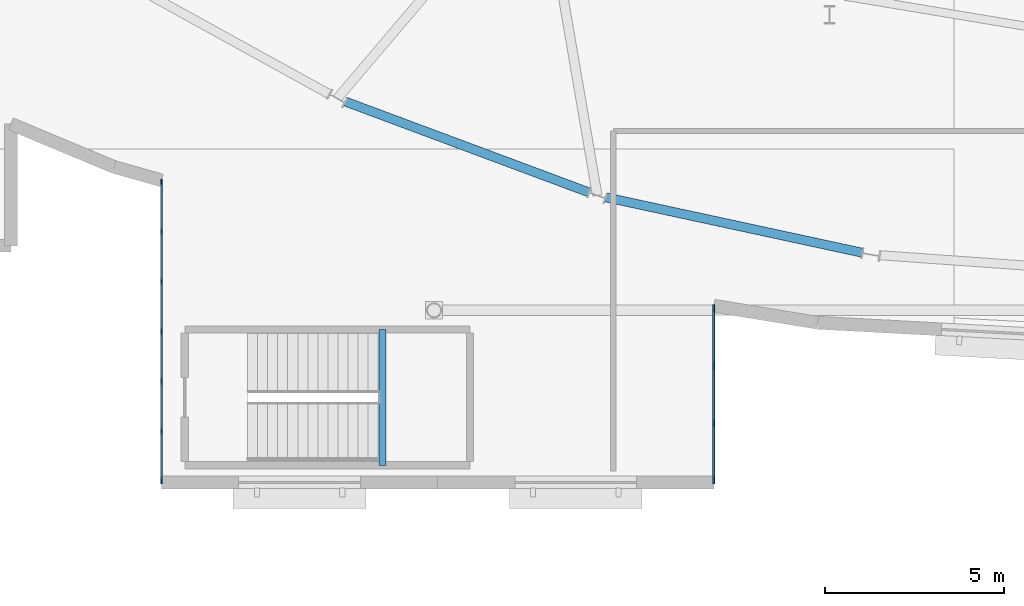
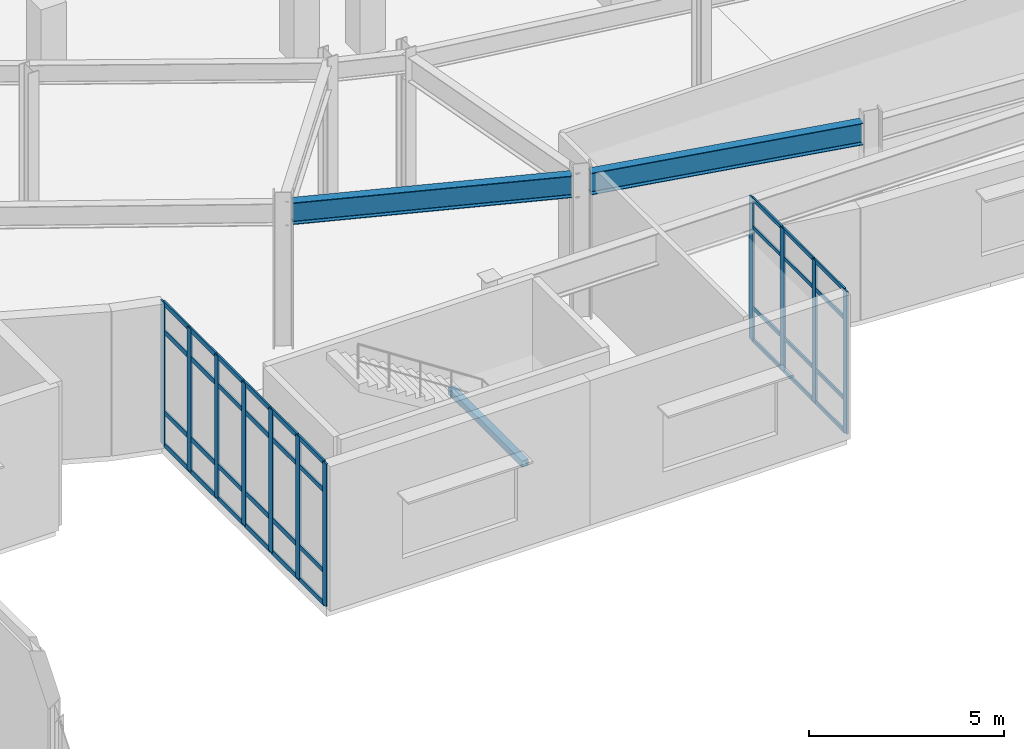
# One storey, part 31 of 84: 47 members, 3 beams, 2 elements without a shape of their own.
"""IFC4 building model written with IfcOpenShell, lengths in metres."""

from ifc_helpers import new_model, si_unit, direction, frame, origin, origin_2d, place, context, subcontext, project, spatial, rectangle, hollow_rectangle, i_section, extrude, material, material_profile, profile_set, type_object, element, aggregate, save


model = new_model("IFC4")

# Units and contexts
model_context = context("Model", 3, precision=1e-05, world=origin(), true_north=direction((0.0, 1.0)))
body_context = subcontext(model_context, "Body", "Model", "MODEL_VIEW")
ifc_project = project(units=[si_unit("LENGTHUNIT", "METRE"), si_unit("AREAUNIT", "SQUARE_METRE"), si_unit("VOLUMEUNIT", "CUBIC_METRE"), si_unit("PLANEANGLEUNIT", "RADIAN"), si_unit("MASSUNIT", "GRAM", prefix="KILO")], contexts=[model_context])

# Site, building, storey
site_placement = place(None, origin())
site = spatial("IfcSite", under=ifc_project, at=site_placement, CompositionType="ELEMENT")
building_placement = place(site_placement, origin())
building = spatial("IfcBuilding", under=site, at=building_placement, Name="Glasvene Arena", CompositionType="ELEMENT")
storey_placement = place(building_placement, frame((0.0, 0.0, 10.199951171875)))
storey = spatial("IfcBuildingStorey", under=building, at=storey_placement, Name="L02", CompositionType="ELEMENT", Elevation=10.199951171875)

# Beams
ifc_material_1 = material(Name="Steel S355J2", Category="steel")
ifc_material_profile_1 = material_profile(ifc_material_1, i_section(OverallWidth=0.253662109375, OverallDepth=0.68359375, WebThickness=0.012451171875, FlangeThickness=0.01904296875, FilletRadius=0.01513671875, at=origin_2d()), Name="UKB 686x254x140")
ifc_profile_set_1 = profile_set([ifc_material_profile_1], Name="Steel S355J2")
beam_type_1 = type_object("IfcBeamType", Name="BM-GIRD-686", PredefinedType="BEAM", material=ifc_profile_set_1)
beam_1_placement = place(storey_placement, frame((69.525390625, 32.82080078125, 4.178466796875), z_axis=(0.937013245498, -0.349293827259, 0.0), x_axis=(0.349293827259, 0.937013245498, 0.0)))
element("IfcBeam", 1, at=beam_1_placement, inside=storey, type_object=beam_type_1, Name="Bowl ring chord beam L02-28", PredefinedType="BEAM", context=body_context, shape_type="SweptSolid", body=[
    extrude(i_section(OverallWidth=0.253662109375, OverallDepth=0.68359375, WebThickness=0.012451171875, FlangeThickness=0.01904296875, FilletRadius=0.01513671875, at=origin_2d()), origin(), (0.0, 0.0, 1.0), 7.255859375),
])
beam_2_placement = place(storey_placement, frame((76.78369140625, 30.15185546875, 4.178466796875), z_axis=(0.97744150895, -0.211206289161, 0.0), x_axis=(0.211206289161, 0.97744150895, 0.0)))
element("IfcBeam", 2, at=beam_2_placement, inside=storey, type_object=beam_type_1, Name="Bowl ring chord beam L02-29", PredefinedType="BEAM", context=body_context, shape_type="SweptSolid", body=[
    extrude(i_section(OverallWidth=0.253662109375, OverallDepth=0.68359375, WebThickness=0.012451171875, FlangeThickness=0.01904296875, FilletRadius=0.01513671875, at=origin_2d()), origin(), (0.0, 0.0, 1.0), 7.3251953125),
])
ifc_material_profile_2 = material_profile(ifc_material_1, hollow_rectangle(XDim=0.199951171875, YDim=0.199951171875, WallThickness=0.010009765625, at=origin_2d()), Name="SHS 200x200x10.0")
ifc_profile_set_2 = profile_set([ifc_material_profile_2], Name="Steel S355J2")
beam_type_2 = type_object("IfcBeamType", Name="BM-LINTEL-200", PredefinedType="LINTEL", material=ifc_profile_set_2)
beam_3_placement = place(storey_placement, frame((70.56005859375, 22.679931640625, 2.080078125), z_axis=(0.0, 1.0, 0.0), x_axis=(-1.0, 0.0, 0.0)))
element("IfcBeam", 3, at=beam_3_placement, inside=storey, type_object=beam_type_2, Name="Stair half-landing support beam ST-08-L02", PredefinedType="LINTEL", context=body_context, shape_type="SweptSolid", body=[
    extrude(hollow_rectangle(XDim=0.199951171875, YDim=0.199951171875, WallThickness=0.010009765625, at=origin_2d()), origin(), (0.0, 0.0, 1.0), 3.7900390625),
])

# Curtain wall, members
ifc_material_2 = material(Name="Low-emissivity laminated double glazing", Category="glass")
curtain_wall_type_1 = type_object("IfcCurtainWallType", Name="CW-FAC-L02-485x446", PredefinedType="USERDEFINED", material=ifc_material_2)
curtain_wall_1_placement = place(storey_placement, frame((79.800048828125, 27.085693359375, 0.0)))
curtain_wall_1 = element("IfcCurtainWall", 4, at=curtain_wall_1_placement, inside=storey, type_object=curtain_wall_type_1, Name="Unitised curtain wall CW-F-L02-180-798-247-55", ObjectType="CURTAIN WALL", PredefinedType="USERDEFINED")
ifc_material_3 = material(Name="Anodised architectural aluminium", Category="aluminium")
ifc_material_profile_3 = material_profile(ifc_material_3, rectangle(XDim=0.050048828125, YDim=0.199951171875, at=origin_2d()), Name="ALU MULLION 50x200")
ifc_profile_set_3 = profile_set([ifc_material_profile_3], Name="Anodised architectural aluminium")
member_type_1 = type_object("IfcMemberType", Name="CW-MUL-180", PredefinedType="MULLION", material=ifc_profile_set_3)
member_1_placement = place(storey_placement, frame((79.800048828125, 27.060791015625, 0.06005859375), z_axis=(0.0, 0.0, 1.0), x_axis=(1.0, 0.0, 0.0)))
member_1 = element("IfcMember", 5, at=member_1_placement, type_object=member_type_1, Name="CW-027 mullion 1", PredefinedType="MULLION", context=body_context, shape_type="SweptSolid", body=[
    extrude(rectangle(XDim=0.050048828125, YDim=0.199951171875, at=origin_2d()), origin(), (0.0, 0.0, 1.0), 4.4599609375),
])
member_2_placement = place(storey_placement, frame((79.800048828125, 25.470458984375, 0.06005859375), z_axis=(0.0, 0.0, 1.0), x_axis=(1.0, 0.0, 0.0)))
member_2 = element("IfcMember", 6, at=member_2_placement, type_object=member_type_1, Name="CW-027 mullion 2", PredefinedType="MULLION", context=body_context, shape_type="SweptSolid", body=[
    extrude(rectangle(XDim=0.050048828125, YDim=0.199951171875, at=origin_2d()), origin(), (0.0, 0.0, 1.0), 4.4599609375),
])
member_3_placement = place(storey_placement, frame((79.800048828125, 23.855224609375, 0.06005859375), z_axis=(0.0, 0.0, 1.0), x_axis=(1.0, 0.0, 0.0)))
member_3 = element("IfcMember", 7, at=member_3_placement, type_object=member_type_1, Name="CW-027 mullion 3", PredefinedType="MULLION", context=body_context, shape_type="SweptSolid", body=[
    extrude(rectangle(XDim=0.050048828125, YDim=0.199951171875, at=origin_2d()), origin(), (0.0, 0.0, 1.0), 4.4599609375),
])
member_4_placement = place(storey_placement, frame((79.800048828125, 22.264892578125, 0.06005859375), z_axis=(0.0, 0.0, 1.0), x_axis=(1.0, 0.0, 0.0)))
member_4 = element("IfcMember", 8, at=member_4_placement, type_object=member_type_1, Name="CW-027 mullion 4", PredefinedType="MULLION", context=body_context, shape_type="SweptSolid", body=[
    extrude(rectangle(XDim=0.050048828125, YDim=0.199951171875, at=origin_2d()), origin(), (0.0, 0.0, 1.0), 4.4599609375),
])

curtain_wall_type_2 = type_object("IfcCurtainWallType", Name="CW-FAC-L02-834x446", PredefinedType="USERDEFINED", material=ifc_material_2)
curtain_wall_2_placement = place(storey_placement, frame((64.39990234375, 22.239990234375, 0.0)))
curtain_wall_2 = element("IfcCurtainWall", 9, at=curtain_wall_2_placement, inside=storey, type_object=curtain_wall_type_2, Name="Unitised curtain wall CW-F-L02-180-644-264-58", ObjectType="CURTAIN WALL", PredefinedType="USERDEFINED")
member_5_placement = place(storey_placement, frame((64.39990234375, 22.264892578125, 0.06005859375), z_axis=(0.0, 0.0, 1.0), x_axis=(-1.0, 0.0, 0.0)))
member_5 = element("IfcMember", 10, at=member_5_placement, type_object=member_type_1, Name="CW-028 mullion 1", PredefinedType="MULLION", context=body_context, shape_type="SweptSolid", body=[
    extrude(rectangle(XDim=0.050048828125, YDim=0.199951171875, at=origin_2d()), origin(), (0.0, 0.0, 1.0), 4.4599609375),
])
member_6_placement = place(storey_placement, frame((64.39990234375, 23.63037109375, 0.06005859375), z_axis=(0.0, 0.0, 1.0), x_axis=(-1.0, 0.0, 0.0)))
member_6 = element("IfcMember", 11, at=member_6_placement, type_object=member_type_1, Name="CW-028 mullion 2", PredefinedType="MULLION", context=body_context, shape_type="SweptSolid", body=[
    extrude(rectangle(XDim=0.050048828125, YDim=0.199951171875, at=origin_2d()), origin(), (0.0, 0.0, 1.0), 4.4599609375),
])
member_7_placement = place(storey_placement, frame((64.39990234375, 25.0205078125, 0.06005859375), z_axis=(0.0, 0.0, 1.0), x_axis=(-1.0, 0.0, 0.0)))
member_7 = element("IfcMember", 12, at=member_7_placement, type_object=member_type_1, Name="CW-028 mullion 3", PredefinedType="MULLION", context=body_context, shape_type="SweptSolid", body=[
    extrude(rectangle(XDim=0.050048828125, YDim=0.199951171875, at=origin_2d()), origin(), (0.0, 0.0, 1.0), 4.4599609375),
])
member_8_placement = place(storey_placement, frame((64.39990234375, 26.410888671875, 0.06005859375), z_axis=(0.0, 0.0, 1.0), x_axis=(-1.0, 0.0, 0.0)))
member_8 = element("IfcMember", 13, at=member_8_placement, type_object=member_type_1, Name="CW-028 mullion 4", PredefinedType="MULLION", context=body_context, shape_type="SweptSolid", body=[
    extrude(rectangle(XDim=0.050048828125, YDim=0.199951171875, at=origin_2d()), origin(), (0.0, 0.0, 1.0), 4.4599609375),
])
member_9_placement = place(storey_placement, frame((64.39990234375, 27.80126953125, 0.06005859375), z_axis=(0.0, 0.0, 1.0), x_axis=(-1.0, 0.0, 0.0)))
member_9 = element("IfcMember", 14, at=member_9_placement, type_object=member_type_1, Name="CW-028 mullion 5", PredefinedType="MULLION", context=body_context, shape_type="SweptSolid", body=[
    extrude(rectangle(XDim=0.050048828125, YDim=0.199951171875, at=origin_2d()), origin(), (0.0, 0.0, 1.0), 4.4599609375),
])
member_10_placement = place(storey_placement, frame((64.39990234375, 29.19140625, 0.06005859375), z_axis=(0.0, 0.0, 1.0), x_axis=(-1.0, 0.0, 0.0)))
member_10 = element("IfcMember", 15, at=member_10_placement, type_object=member_type_1, Name="CW-028 mullion 6", PredefinedType="MULLION", context=body_context, shape_type="SweptSolid", body=[
    extrude(rectangle(XDim=0.050048828125, YDim=0.199951171875, at=origin_2d()), origin(), (0.0, 0.0, 1.0), 4.4599609375),
])
member_11_placement = place(storey_placement, frame((64.39990234375, 30.556884765625, 0.06005859375), z_axis=(0.0, 0.0, 1.0), x_axis=(-1.0, 0.0, 0.0)))
member_11 = element("IfcMember", 16, at=member_11_placement, type_object=member_type_1, Name="CW-028 mullion 7", PredefinedType="MULLION", context=body_context, shape_type="SweptSolid", body=[
    extrude(rectangle(XDim=0.050048828125, YDim=0.199951171875, at=origin_2d()), origin(), (0.0, 0.0, 1.0), 4.4599609375),
])

# Member
ifc_material_profile_4 = material_profile(ifc_material_3, rectangle(XDim=0.050048828125, YDim=0.1201171875, at=origin_2d()), Name="ALU TRANSOM 50x120")
ifc_profile_set_4 = profile_set([ifc_material_profile_4], Name="Anodised architectural aluminium")
member_type_2 = type_object("IfcMemberType", Name="CW-TRN-120", PredefinedType="USERDEFINED", material=ifc_profile_set_4)
member_12_placement = place(storey_placement, frame((79.800048828125, 27.03564453125, 0.0849609375), z_axis=(0.0, -1.0, 0.0), x_axis=(1.0, 0.0, 0.0)))
member_12 = element("IfcMember", 17, at=member_12_placement, type_object=member_type_2, Name="CW-027 transom 1.1", ObjectType="TRANSOM", PredefinedType="USERDEFINED", context=body_context, shape_type="SweptSolid", body=[
    extrude(rectangle(XDim=0.050048828125, YDim=0.1201171875, at=origin_2d()), origin(), (0.0, 0.0, 1.0), 1.540283203125),
])

member_13_placement = place(storey_placement, frame((79.800048828125, 27.03564453125, 1.10009765625), z_axis=(0.0, -1.0, 0.0), x_axis=(1.0, 0.0, 0.0)))
member_13 = element("IfcMember", 18, at=member_13_placement, type_object=member_type_2, Name="CW-027 transom 1.2", ObjectType="TRANSOM", PredefinedType="USERDEFINED", context=body_context, shape_type="SweptSolid", body=[
    extrude(rectangle(XDim=0.050048828125, YDim=0.1201171875, at=origin_2d()), origin(), (0.0, 0.0, 1.0), 1.540283203125),
])

member_14_placement = place(storey_placement, frame((79.800048828125, 27.03564453125, 3.6201171875), z_axis=(0.0, -1.0, 0.0), x_axis=(1.0, 0.0, 0.0)))
member_14 = element("IfcMember", 19, at=member_14_placement, type_object=member_type_2, Name="CW-027 transom 1.3", ObjectType="TRANSOM", PredefinedType="USERDEFINED", context=body_context, shape_type="SweptSolid", body=[
    extrude(rectangle(XDim=0.050048828125, YDim=0.1201171875, at=origin_2d()), origin(), (0.0, 0.0, 1.0), 1.540283203125),
])

member_15_placement = place(storey_placement, frame((79.800048828125, 27.03564453125, 4.4951171875), z_axis=(0.0, -1.0, 0.0), x_axis=(1.0, 0.0, 0.0)))
member_15 = element("IfcMember", 20, at=member_15_placement, type_object=member_type_2, Name="CW-027 transom 1.4", ObjectType="TRANSOM", PredefinedType="USERDEFINED", context=body_context, shape_type="SweptSolid", body=[
    extrude(rectangle(XDim=0.050048828125, YDim=0.1201171875, at=origin_2d()), origin(), (0.0, 0.0, 1.0), 1.540283203125),
])

member_16_placement = place(storey_placement, frame((79.800048828125, 25.445556640625, 0.0849609375), z_axis=(0.0, -1.0, 0.0), x_axis=(1.0, 0.0, 0.0)))
member_16 = element("IfcMember", 21, at=member_16_placement, type_object=member_type_2, Name="CW-027 transom 2.1", ObjectType="TRANSOM", PredefinedType="USERDEFINED", context=body_context, shape_type="SweptSolid", body=[
    extrude(rectangle(XDim=0.050048828125, YDim=0.1201171875, at=origin_2d()), origin(), (0.0, 0.0, 1.0), 1.5654296875),
])

member_17_placement = place(storey_placement, frame((79.800048828125, 25.445556640625, 1.10009765625), z_axis=(0.0, -1.0, 0.0), x_axis=(1.0, 0.0, 0.0)))
member_17 = element("IfcMember", 22, at=member_17_placement, type_object=member_type_2, Name="CW-027 transom 2.2", ObjectType="TRANSOM", PredefinedType="USERDEFINED", context=body_context, shape_type="SweptSolid", body=[
    extrude(rectangle(XDim=0.050048828125, YDim=0.1201171875, at=origin_2d()), origin(), (0.0, 0.0, 1.0), 1.5654296875),
])

member_18_placement = place(storey_placement, frame((79.800048828125, 25.445556640625, 3.6201171875), z_axis=(0.0, -1.0, 0.0), x_axis=(1.0, 0.0, 0.0)))
member_18 = element("IfcMember", 23, at=member_18_placement, type_object=member_type_2, Name="CW-027 transom 2.3", ObjectType="TRANSOM", PredefinedType="USERDEFINED", context=body_context, shape_type="SweptSolid", body=[
    extrude(rectangle(XDim=0.050048828125, YDim=0.1201171875, at=origin_2d()), origin(), (0.0, 0.0, 1.0), 1.5654296875),
])

member_19_placement = place(storey_placement, frame((79.800048828125, 25.445556640625, 4.4951171875), z_axis=(0.0, -1.0, 0.0), x_axis=(1.0, 0.0, 0.0)))
member_19 = element("IfcMember", 24, at=member_19_placement, type_object=member_type_2, Name="CW-027 transom 2.4", ObjectType="TRANSOM", PredefinedType="USERDEFINED", context=body_context, shape_type="SweptSolid", body=[
    extrude(rectangle(XDim=0.050048828125, YDim=0.1201171875, at=origin_2d()), origin(), (0.0, 0.0, 1.0), 1.5654296875),
])

member_20_placement = place(storey_placement, frame((79.800048828125, 23.830322265625, 0.0849609375), z_axis=(0.0, -1.0, 0.0), x_axis=(1.0, 0.0, 0.0)))
member_20 = element("IfcMember", 25, at=member_20_placement, type_object=member_type_2, Name="CW-027 transom 3.1", ObjectType="TRANSOM", PredefinedType="USERDEFINED", context=body_context, shape_type="SweptSolid", body=[
    extrude(rectangle(XDim=0.050048828125, YDim=0.1201171875, at=origin_2d()), origin(), (0.0, 0.0, 1.0), 1.540283203125),
])

member_21_placement = place(storey_placement, frame((79.800048828125, 23.830322265625, 1.10009765625), z_axis=(0.0, -1.0, 0.0), x_axis=(1.0, 0.0, 0.0)))
member_21 = element("IfcMember", 26, at=member_21_placement, type_object=member_type_2, Name="CW-027 transom 3.2", ObjectType="TRANSOM", PredefinedType="USERDEFINED", context=body_context, shape_type="SweptSolid", body=[
    extrude(rectangle(XDim=0.050048828125, YDim=0.1201171875, at=origin_2d()), origin(), (0.0, 0.0, 1.0), 1.540283203125),
])

member_22_placement = place(storey_placement, frame((79.800048828125, 23.830322265625, 3.6201171875), z_axis=(0.0, -1.0, 0.0), x_axis=(1.0, 0.0, 0.0)))
member_22 = element("IfcMember", 27, at=member_22_placement, type_object=member_type_2, Name="CW-027 transom 3.3", ObjectType="TRANSOM", PredefinedType="USERDEFINED", context=body_context, shape_type="SweptSolid", body=[
    extrude(rectangle(XDim=0.050048828125, YDim=0.1201171875, at=origin_2d()), origin(), (0.0, 0.0, 1.0), 1.540283203125),
])

member_23_placement = place(storey_placement, frame((79.800048828125, 23.830322265625, 4.4951171875), z_axis=(0.0, -1.0, 0.0), x_axis=(1.0, 0.0, 0.0)))
member_23 = element("IfcMember", 28, at=member_23_placement, type_object=member_type_2, Name="CW-027 transom 3.4", ObjectType="TRANSOM", PredefinedType="USERDEFINED", context=body_context, shape_type="SweptSolid", body=[
    extrude(rectangle(XDim=0.050048828125, YDim=0.1201171875, at=origin_2d()), origin(), (0.0, 0.0, 1.0), 1.540283203125),
])

aggregate(curtain_wall_1, [member_1, member_2, member_3, member_4, member_12, member_13, member_14, member_15, member_16, member_17, member_18, member_19, member_20, member_21, member_22, member_23])

ifc_material_profile_5 = material_profile(ifc_material_3, rectangle(XDim=0.050048828125, YDim=0.14990234375, at=origin_2d()), Name="ALU TRANSOM 50x150")
ifc_profile_set_5 = profile_set([ifc_material_profile_5], Name="Anodised architectural aluminium")
member_type_3 = type_object("IfcMemberType", Name="CW-TRN-150", PredefinedType="USERDEFINED", material=ifc_profile_set_5)
member_24_placement = place(storey_placement, frame((64.39990234375, 22.2900390625, 0.0849609375), z_axis=(0.0, 1.0, 0.0), x_axis=(-1.0, 0.0, 0.0)))
member_24 = element("IfcMember", 29, at=member_24_placement, type_object=member_type_3, Name="CW-028 transom 1.1", ObjectType="TRANSOM", PredefinedType="USERDEFINED", context=body_context, shape_type="SweptSolid", body=[
    extrude(rectangle(XDim=0.050048828125, YDim=0.14990234375, at=origin_2d()), origin(), (0.0, 0.0, 1.0), 1.315185546875),
])

member_25_placement = place(storey_placement, frame((64.39990234375, 22.2900390625, 1.10009765625), z_axis=(0.0, 1.0, 0.0), x_axis=(-1.0, 0.0, 0.0)))
member_25 = element("IfcMember", 30, at=member_25_placement, type_object=member_type_3, Name="CW-028 transom 1.2", ObjectType="TRANSOM", PredefinedType="USERDEFINED", context=body_context, shape_type="SweptSolid", body=[
    extrude(rectangle(XDim=0.050048828125, YDim=0.14990234375, at=origin_2d()), origin(), (0.0, 0.0, 1.0), 1.315185546875),
])

member_26_placement = place(storey_placement, frame((64.39990234375, 22.2900390625, 3.6201171875), z_axis=(0.0, 1.0, 0.0), x_axis=(-1.0, 0.0, 0.0)))
member_26 = element("IfcMember", 31, at=member_26_placement, type_object=member_type_3, Name="CW-028 transom 1.3", ObjectType="TRANSOM", PredefinedType="USERDEFINED", context=body_context, shape_type="SweptSolid", body=[
    extrude(rectangle(XDim=0.050048828125, YDim=0.14990234375, at=origin_2d()), origin(), (0.0, 0.0, 1.0), 1.315185546875),
])

member_27_placement = place(storey_placement, frame((64.39990234375, 22.2900390625, 4.4951171875), z_axis=(0.0, 1.0, 0.0), x_axis=(-1.0, 0.0, 0.0)))
member_27 = element("IfcMember", 32, at=member_27_placement, type_object=member_type_3, Name="CW-028 transom 1.4", ObjectType="TRANSOM", PredefinedType="USERDEFINED", context=body_context, shape_type="SweptSolid", body=[
    extrude(rectangle(XDim=0.050048828125, YDim=0.14990234375, at=origin_2d()), origin(), (0.0, 0.0, 1.0), 1.315185546875),
])

member_28_placement = place(storey_placement, frame((64.39990234375, 23.6552734375, 0.0849609375), z_axis=(0.0, 1.0, 0.0), x_axis=(-1.0, 0.0, 0.0)))
member_28 = element("IfcMember", 33, at=member_28_placement, type_object=member_type_3, Name="CW-028 transom 2.1", ObjectType="TRANSOM", PredefinedType="USERDEFINED", context=body_context, shape_type="SweptSolid", body=[
    extrude(rectangle(XDim=0.050048828125, YDim=0.14990234375, at=origin_2d()), origin(), (0.0, 0.0, 1.0), 1.34033203125),
])

member_29_placement = place(storey_placement, frame((64.39990234375, 23.6552734375, 1.10009765625), z_axis=(0.0, 1.0, 0.0), x_axis=(-1.0, 0.0, 0.0)))
member_29 = element("IfcMember", 34, at=member_29_placement, type_object=member_type_3, Name="CW-028 transom 2.2", ObjectType="TRANSOM", PredefinedType="USERDEFINED", context=body_context, shape_type="SweptSolid", body=[
    extrude(rectangle(XDim=0.050048828125, YDim=0.14990234375, at=origin_2d()), origin(), (0.0, 0.0, 1.0), 1.34033203125),
])

member_30_placement = place(storey_placement, frame((64.39990234375, 23.6552734375, 3.6201171875), z_axis=(0.0, 1.0, 0.0), x_axis=(-1.0, 0.0, 0.0)))
member_30 = element("IfcMember", 35, at=member_30_placement, type_object=member_type_3, Name="CW-028 transom 2.3", ObjectType="TRANSOM", PredefinedType="USERDEFINED", context=body_context, shape_type="SweptSolid", body=[
    extrude(rectangle(XDim=0.050048828125, YDim=0.14990234375, at=origin_2d()), origin(), (0.0, 0.0, 1.0), 1.34033203125),
])

member_31_placement = place(storey_placement, frame((64.39990234375, 23.6552734375, 4.4951171875), z_axis=(0.0, 1.0, 0.0), x_axis=(-1.0, 0.0, 0.0)))
member_31 = element("IfcMember", 36, at=member_31_placement, type_object=member_type_3, Name="CW-028 transom 2.4", ObjectType="TRANSOM", PredefinedType="USERDEFINED", context=body_context, shape_type="SweptSolid", body=[
    extrude(rectangle(XDim=0.050048828125, YDim=0.14990234375, at=origin_2d()), origin(), (0.0, 0.0, 1.0), 1.34033203125),
])

member_32_placement = place(storey_placement, frame((64.39990234375, 25.045654296875, 0.0849609375), z_axis=(0.0, 1.0, 0.0), x_axis=(-1.0, 0.0, 0.0)))
member_32 = element("IfcMember", 37, at=member_32_placement, type_object=member_type_3, Name="CW-028 transom 3.1", ObjectType="TRANSOM", PredefinedType="USERDEFINED", context=body_context, shape_type="SweptSolid", body=[
    extrude(rectangle(XDim=0.050048828125, YDim=0.14990234375, at=origin_2d()), origin(), (0.0, 0.0, 1.0), 1.34033203125),
])

member_33_placement = place(storey_placement, frame((64.39990234375, 25.045654296875, 1.10009765625), z_axis=(0.0, 1.0, 0.0), x_axis=(-1.0, 0.0, 0.0)))
member_33 = element("IfcMember", 38, at=member_33_placement, type_object=member_type_3, Name="CW-028 transom 3.2", ObjectType="TRANSOM", PredefinedType="USERDEFINED", context=body_context, shape_type="SweptSolid", body=[
    extrude(rectangle(XDim=0.050048828125, YDim=0.14990234375, at=origin_2d()), origin(), (0.0, 0.0, 1.0), 1.34033203125),
])

member_34_placement = place(storey_placement, frame((64.39990234375, 25.045654296875, 3.6201171875), z_axis=(0.0, 1.0, 0.0), x_axis=(-1.0, 0.0, 0.0)))
member_34 = element("IfcMember", 39, at=member_34_placement, type_object=member_type_3, Name="CW-028 transom 3.3", ObjectType="TRANSOM", PredefinedType="USERDEFINED", context=body_context, shape_type="SweptSolid", body=[
    extrude(rectangle(XDim=0.050048828125, YDim=0.14990234375, at=origin_2d()), origin(), (0.0, 0.0, 1.0), 1.34033203125),
])

member_35_placement = place(storey_placement, frame((64.39990234375, 25.045654296875, 4.4951171875), z_axis=(0.0, 1.0, 0.0), x_axis=(-1.0, 0.0, 0.0)))
member_35 = element("IfcMember", 40, at=member_35_placement, type_object=member_type_3, Name="CW-028 transom 3.4", ObjectType="TRANSOM", PredefinedType="USERDEFINED", context=body_context, shape_type="SweptSolid", body=[
    extrude(rectangle(XDim=0.050048828125, YDim=0.14990234375, at=origin_2d()), origin(), (0.0, 0.0, 1.0), 1.34033203125),
])

member_36_placement = place(storey_placement, frame((64.39990234375, 26.435791015625, 0.0849609375), z_axis=(0.0, 1.0, 0.0), x_axis=(-1.0, 0.0, 0.0)))
member_36 = element("IfcMember", 41, at=member_36_placement, type_object=member_type_3, Name="CW-028 transom 4.1", ObjectType="TRANSOM", PredefinedType="USERDEFINED", context=body_context, shape_type="SweptSolid", body=[
    extrude(rectangle(XDim=0.050048828125, YDim=0.14990234375, at=origin_2d()), origin(), (0.0, 0.0, 1.0), 1.34033203125),
])

member_37_placement = place(storey_placement, frame((64.39990234375, 26.435791015625, 1.10009765625), z_axis=(0.0, 1.0, 0.0), x_axis=(-1.0, 0.0, 0.0)))
member_37 = element("IfcMember", 42, at=member_37_placement, type_object=member_type_3, Name="CW-028 transom 4.2", ObjectType="TRANSOM", PredefinedType="USERDEFINED", context=body_context, shape_type="SweptSolid", body=[
    extrude(rectangle(XDim=0.050048828125, YDim=0.14990234375, at=origin_2d()), origin(), (0.0, 0.0, 1.0), 1.34033203125),
])

member_38_placement = place(storey_placement, frame((64.39990234375, 26.435791015625, 3.6201171875), z_axis=(0.0, 1.0, 0.0), x_axis=(-1.0, 0.0, 0.0)))
member_38 = element("IfcMember", 43, at=member_38_placement, type_object=member_type_3, Name="CW-028 transom 4.3", ObjectType="TRANSOM", PredefinedType="USERDEFINED", context=body_context, shape_type="SweptSolid", body=[
    extrude(rectangle(XDim=0.050048828125, YDim=0.14990234375, at=origin_2d()), origin(), (0.0, 0.0, 1.0), 1.34033203125),
])

member_39_placement = place(storey_placement, frame((64.39990234375, 26.435791015625, 4.4951171875), z_axis=(0.0, 1.0, 0.0), x_axis=(-1.0, 0.0, 0.0)))
member_39 = element("IfcMember", 44, at=member_39_placement, type_object=member_type_3, Name="CW-028 transom 4.4", ObjectType="TRANSOM", PredefinedType="USERDEFINED", context=body_context, shape_type="SweptSolid", body=[
    extrude(rectangle(XDim=0.050048828125, YDim=0.14990234375, at=origin_2d()), origin(), (0.0, 0.0, 1.0), 1.34033203125),
])

member_40_placement = place(storey_placement, frame((64.39990234375, 27.826171875, 0.0849609375), z_axis=(0.0, 1.0, 0.0), x_axis=(-1.0, 0.0, 0.0)))
member_40 = element("IfcMember", 45, at=member_40_placement, type_object=member_type_3, Name="CW-028 transom 5.1", ObjectType="TRANSOM", PredefinedType="USERDEFINED", context=body_context, shape_type="SweptSolid", body=[
    extrude(rectangle(XDim=0.050048828125, YDim=0.14990234375, at=origin_2d()), origin(), (0.0, 0.0, 1.0), 1.34033203125),
])

member_41_placement = place(storey_placement, frame((64.39990234375, 27.826171875, 1.10009765625), z_axis=(0.0, 1.0, 0.0), x_axis=(-1.0, 0.0, 0.0)))
member_41 = element("IfcMember", 46, at=member_41_placement, type_object=member_type_3, Name="CW-028 transom 5.2", ObjectType="TRANSOM", PredefinedType="USERDEFINED", context=body_context, shape_type="SweptSolid", body=[
    extrude(rectangle(XDim=0.050048828125, YDim=0.14990234375, at=origin_2d()), origin(), (0.0, 0.0, 1.0), 1.34033203125),
])

member_42_placement = place(storey_placement, frame((64.39990234375, 27.826171875, 3.6201171875), z_axis=(0.0, 1.0, 0.0), x_axis=(-1.0, 0.0, 0.0)))
member_42 = element("IfcMember", 47, at=member_42_placement, type_object=member_type_3, Name="CW-028 transom 5.3", ObjectType="TRANSOM", PredefinedType="USERDEFINED", context=body_context, shape_type="SweptSolid", body=[
    extrude(rectangle(XDim=0.050048828125, YDim=0.14990234375, at=origin_2d()), origin(), (0.0, 0.0, 1.0), 1.34033203125),
])

member_43_placement = place(storey_placement, frame((64.39990234375, 27.826171875, 4.4951171875), z_axis=(0.0, 1.0, 0.0), x_axis=(-1.0, 0.0, 0.0)))
member_43 = element("IfcMember", 48, at=member_43_placement, type_object=member_type_3, Name="CW-028 transom 5.4", ObjectType="TRANSOM", PredefinedType="USERDEFINED", context=body_context, shape_type="SweptSolid", body=[
    extrude(rectangle(XDim=0.050048828125, YDim=0.14990234375, at=origin_2d()), origin(), (0.0, 0.0, 1.0), 1.34033203125),
])

member_44_placement = place(storey_placement, frame((64.39990234375, 29.216552734375, 0.0849609375), z_axis=(0.0, 1.0, 0.0), x_axis=(-1.0, 0.0, 0.0)))
member_44 = element("IfcMember", 49, at=member_44_placement, type_object=member_type_3, Name="CW-028 transom 6.1", ObjectType="TRANSOM", PredefinedType="USERDEFINED", context=body_context, shape_type="SweptSolid", body=[
    extrude(rectangle(XDim=0.050048828125, YDim=0.14990234375, at=origin_2d()), origin(), (0.0, 0.0, 1.0), 1.315185546875),
])

member_45_placement = place(storey_placement, frame((64.39990234375, 29.216552734375, 1.10009765625), z_axis=(0.0, 1.0, 0.0), x_axis=(-1.0, 0.0, 0.0)))
member_45 = element("IfcMember", 50, at=member_45_placement, type_object=member_type_3, Name="CW-028 transom 6.2", ObjectType="TRANSOM", PredefinedType="USERDEFINED", context=body_context, shape_type="SweptSolid", body=[
    extrude(rectangle(XDim=0.050048828125, YDim=0.14990234375, at=origin_2d()), origin(), (0.0, 0.0, 1.0), 1.315185546875),
])

member_46_placement = place(storey_placement, frame((64.39990234375, 29.216552734375, 3.6201171875), z_axis=(0.0, 1.0, 0.0), x_axis=(-1.0, 0.0, 0.0)))
member_46 = element("IfcMember", 51, at=member_46_placement, type_object=member_type_3, Name="CW-028 transom 6.3", ObjectType="TRANSOM", PredefinedType="USERDEFINED", context=body_context, shape_type="SweptSolid", body=[
    extrude(rectangle(XDim=0.050048828125, YDim=0.14990234375, at=origin_2d()), origin(), (0.0, 0.0, 1.0), 1.315185546875),
])

member_47_placement = place(storey_placement, frame((64.39990234375, 29.216552734375, 4.4951171875), z_axis=(0.0, 1.0, 0.0), x_axis=(-1.0, 0.0, 0.0)))
member_47 = element("IfcMember", 52, at=member_47_placement, type_object=member_type_3, Name="CW-028 transom 6.4", ObjectType="TRANSOM", PredefinedType="USERDEFINED", context=body_context, shape_type="SweptSolid", body=[
    extrude(rectangle(XDim=0.050048828125, YDim=0.14990234375, at=origin_2d()), origin(), (0.0, 0.0, 1.0), 1.315185546875),
])

aggregate(curtain_wall_2, [member_5, member_6, member_7, member_8, member_9, member_10, member_11, member_24, member_25, member_26, member_27, member_28, member_29, member_30, member_31, member_32, member_33, member_34, member_35, member_36, member_37, member_38, member_39, member_40, member_41, member_42, member_43, member_44, member_45, member_46, member_47])

save(model, "model.ifc")
